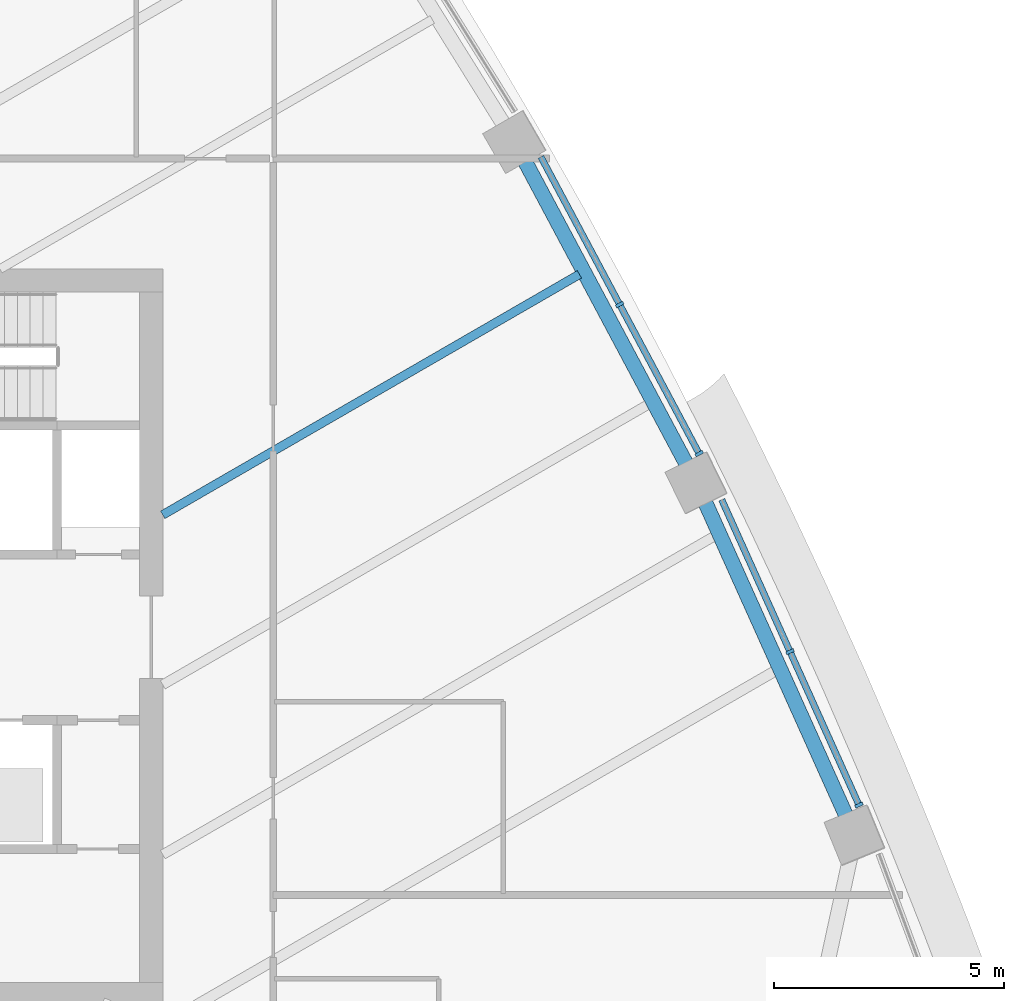
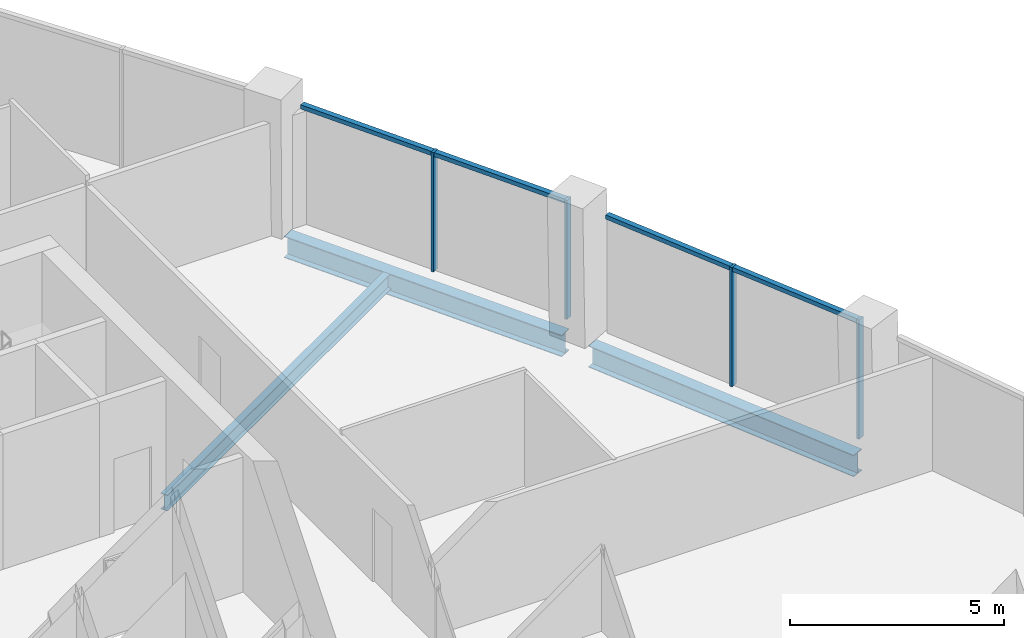
# One storey, part 5 of 16: 8 members, 3 beams, 2 elements without a shape of their own.
"""IFC4 building model written with IfcOpenShell, lengths in metres."""

from ifc_helpers import new_model, si_unit, direction, frame, origin, origin_2d, place, context, subcontext, project, spatial, rectangle, i_section, extrude, material, layer, layer_set, material_profile, profile_set, type_object, element, aggregate, save


model = new_model("IFC4")

# Units and contexts
model_context = context("Model", 3, precision=1e-05, world=origin(), true_north=direction((0.0, 1.0)))
body_context = subcontext(model_context, "Body", "Model", "MODEL_VIEW")
ifc_project = project(units=[si_unit("LENGTHUNIT", "METRE"), si_unit("AREAUNIT", "SQUARE_METRE"), si_unit("VOLUMEUNIT", "CUBIC_METRE"), si_unit("PLANEANGLEUNIT", "RADIAN"), si_unit("MASSUNIT", "GRAM", prefix="KILO")], contexts=[model_context])

# Site, building, storey
site_placement = place(None, origin())
site = spatial("IfcSite", under=ifc_project, at=site_placement, CompositionType="ELEMENT")
building_placement = place(site_placement, origin())
building = spatial("IfcBuilding", under=site, at=building_placement, Name="Sierra Prisma Convention Tower", CompositionType="ELEMENT")
storey_placement = place(building_placement, frame((0.0, 0.0, 165.800048828125)))
storey = spatial("IfcBuildingStorey", under=building, at=storey_placement, Name="L36", CompositionType="ELEMENT", Elevation=165.800048828125)

# Curtain wall, members
ifc_material_1 = material(Name="Aluminium and glass curtain wall", Category="aluminium")
ifc_layer = layer(ifc_material_1, 0.179931640625)
ifc_layer_set = layer_set([ifc_layer], Name="CW-1 Plain shaft curtain wall")
curtain_wall_type = type_object("IfcCurtainWallType", Name="CW-1 Plain shaft curtain wall", PredefinedType="NOTDEFINED", material=ifc_layer_set)
curtain_wall_1_placement = place(storey_placement, origin())
curtain_wall_1 = element("IfcCurtainWall", 1, at=curtain_wall_1_placement, inside=storey, type_object=curtain_wall_type, Name="CW-1 NE2 L36", PredefinedType="NOTDEFINED")
ifc_material_2 = material(Name="Aluminium 6063-T6 bronze anodised", Category="aluminium")
ifc_material_profile_1 = material_profile(ifc_material_2, rectangle(XDim=0.179931640625, YDim=0.070068359375, at=origin_2d()), Name="ALU MULLION 70x180")
ifc_profile_set_1 = profile_set([ifc_material_profile_1], Name="Aluminium 6063-T6 bronze anodised")
member_type_1 = type_object("IfcMemberType", Name="CW mullion bronze", PredefinedType="MULLION", material=ifc_profile_set_1)
member_1_placement = place(storey_placement, frame((26.125732421875, -3.64404296875, 0.0), z_axis=(0.0, 0.0, 1.0), x_axis=(-0.912060440737, -0.410055791866, 0.0)))
member_1 = element("IfcMember", 2, at=member_1_placement, type_object=member_type_1, Name="CW-1 mullion NE2.1", PredefinedType="MULLION", context=body_context, shape_type="SweptSolid", body=[
    extrude(rectangle(XDim=0.179931640625, YDim=0.070068359375, at=origin_2d()), origin(), (0.0, 0.0, 1.0), 3.39990234375),
])
member_2_placement = place(storey_placement, frame((24.627685546875, -0.311767578125, 0.0), z_axis=(0.0, 0.0, 1.0), x_axis=(-0.912060440737, -0.410055791866, 0.0)))
member_2 = element("IfcMember", 3, at=member_2_placement, type_object=member_type_1, Name="CW-1 mullion NE2.2", PredefinedType="MULLION", context=body_context, shape_type="SweptSolid", body=[
    extrude(rectangle(XDim=0.179931640625, YDim=0.070068359375, at=origin_2d()), origin(), (0.0, 0.0, 1.0), 3.39990234375),
])

curtain_wall_2_placement = place(storey_placement, origin())
curtain_wall_2 = element("IfcCurtainWall", 4, at=curtain_wall_2_placement, inside=storey, type_object=curtain_wall_type, Name="CW-1 NE3 L36", PredefinedType="NOTDEFINED")
member_3_placement = place(storey_placement, frame((22.652587890625, 3.991455078125, 0.0), z_axis=(0.0, 0.0, 1.0), x_axis=(-0.882377911693, -0.470541412583, 0.0)))
member_3 = element("IfcMember", 5, at=member_3_placement, type_object=member_type_1, Name="CW-1 mullion NE3.1", PredefinedType="MULLION", context=body_context, shape_type="SweptSolid", body=[
    extrude(rectangle(XDim=0.179931640625, YDim=0.070068359375, at=origin_2d()), origin(), (0.0, 0.0, 1.0), 3.39990234375),
])
member_4_placement = place(storey_placement, frame((20.92578125, 7.229248046875, 0.0), z_axis=(0.0, 0.0, 1.0), x_axis=(-0.882377911693, -0.470541412583, 0.0)))
member_4 = element("IfcMember", 6, at=member_4_placement, type_object=member_type_1, Name="CW-1 mullion NE3.2", PredefinedType="MULLION", context=body_context, shape_type="SweptSolid", body=[
    extrude(rectangle(XDim=0.179931640625, YDim=0.070068359375, at=origin_2d()), origin(), (0.0, 0.0, 1.0), 3.39990234375),
])

# Member
ifc_material_3 = material(Name="Aluminium 6063-T6 bronze anodised", Category="aluminium")
ifc_material_profile_2 = material_profile(ifc_material_3, rectangle(XDim=0.139892578125, YDim=0.1201171875, at=origin_2d()), Name="ALU TRANSOM 120x140")
ifc_profile_set_2 = profile_set([ifc_material_profile_2], Name="Aluminium 6063-T6 bronze anodised")
member_type_2 = type_object("IfcMemberType", Name="CW transom bronze", PredefinedType="USERDEFINED", material=ifc_profile_set_2)
member_5_placement = place(storey_placement, frame((26.111328125, -3.612060546875, 3.33984375), z_axis=(-0.41007287409, 0.9120527605, 0.0), x_axis=(-0.9120527605, -0.41007287409, 0.0)))
member_5 = element("IfcMember", 7, at=member_5_placement, type_object=member_type_2, Name="CW-1 transom NE2.1", ObjectType="TRANSOM", PredefinedType="USERDEFINED", context=body_context, shape_type="SweptSolid", body=[
    extrude(rectangle(XDim=0.139892578125, YDim=0.1201171875, at=origin_2d()), origin(), (0.0, 0.0, 1.0), 3.58349609375),
])

member_6_placement = place(storey_placement, frame((24.61328125, -0.27978515625, 3.33984375), z_axis=(-0.41007287409, 0.9120527605, 0.0), x_axis=(-0.9120527605, -0.41007287409, 0.0)))
member_6 = element("IfcMember", 8, at=member_6_placement, type_object=member_type_2, Name="CW-1 transom NE2.2", ObjectType="TRANSOM", PredefinedType="USERDEFINED", context=body_context, shape_type="SweptSolid", body=[
    extrude(rectangle(XDim=0.139892578125, YDim=0.1201171875, at=origin_2d()), origin(), (0.0, 0.0, 1.0), 3.58349609375),
])

aggregate(curtain_wall_1, [member_1, member_2, member_5, member_6])

member_7_placement = place(storey_placement, frame((22.635986328125, 4.022216796875, 3.33984375), z_axis=(-0.470500225072, 0.882399874324, 0.0), x_axis=(-0.882399874324, -0.470500225072, 0.0)))
member_7 = element("IfcMember", 9, at=member_7_placement, type_object=member_type_2, Name="CW-1 transom NE3.1", ObjectType="TRANSOM", PredefinedType="USERDEFINED", context=body_context, shape_type="SweptSolid", body=[
    extrude(rectangle(XDim=0.139892578125, YDim=0.1201171875, at=origin_2d()), origin(), (0.0, 0.0, 1.0), 3.599609375),
])

member_8_placement = place(storey_placement, frame((20.909423828125, 7.26025390625, 3.33984375), z_axis=(-0.470581194452, 0.882356696256, 0.0), x_axis=(-0.882356696256, -0.470581194452, 0.0)))
member_8 = element("IfcMember", 10, at=member_8_placement, type_object=member_type_2, Name="CW-1 transom NE3.2", ObjectType="TRANSOM", PredefinedType="USERDEFINED", context=body_context, shape_type="SweptSolid", body=[
    extrude(rectangle(XDim=0.139892578125, YDim=0.1201171875, at=origin_2d()), origin(), (0.0, 0.0, 1.0), 3.599365234375),
])

aggregate(curtain_wall_2, [member_3, member_4, member_7, member_8])

# Beams
ifc_material_4 = material(Name="Steel ASTM A992 Gr 50", Category="steel")
ifc_material_profile_3 = material_profile(ifc_material_4, i_section(OverallWidth=0.18994140625, OverallDepth=0.45703125, WebThickness=0.009033203125, FlangeThickness=0.014404296875, at=origin_2d()), Name="W460x74")
ifc_profile_set_3 = profile_set([ifc_material_profile_3], Name="Steel ASTM A992 Gr 50")
beam_type_1 = type_object("IfcBeamType", Name="Floor joist W460x74", PredefinedType="JOIST", material=ifc_profile_set_3)
beam_1_placement = place(storey_placement, frame((20.051513671875, 7.88623046875, -0.378662109375), z_axis=(-0.866017931367, -0.500012942383, 0.0), x_axis=(0.500012942383, -0.866017931367, 0.0)))
element("IfcBeam", 11, at=beam_1_placement, inside=storey, type_object=beam_type_1, Name="Floor joist L36 NE07", PredefinedType="JOIST", context=body_context, shape_type="SweptSolid", body=[
    extrude(i_section(OverallWidth=0.18994140625, OverallDepth=0.45703125, WebThickness=0.009033203125, FlangeThickness=0.014404296875, at=origin_2d()), origin(), (0.0, 0.0, 1.0), 10.451904296875),
])
ifc_material_5 = material(Name="Steel ASTM A992 Gr 50", Category="steel")
ifc_material_profile_4 = material_profile(ifc_material_5, i_section(OverallWidth=0.324951171875, OverallDepth=0.615966796875, WebThickness=0.013916015625, FlangeThickness=0.021484375, at=origin_2d()), Name="W610x174")
ifc_profile_set_4 = profile_set([ifc_material_profile_4], Name="Steel ASTM A992 Gr 50")
beam_type_2 = type_object("IfcBeamType", Name="Spandrel beam W610x174", PredefinedType="BEAM", material=ifc_profile_set_4)
beam_2_placement = place(storey_placement, frame((25.883544921875, -3.958251953125, -0.4580078125), z_axis=(-0.41004697136, 0.912064406321, 0.0), x_axis=(-0.912064406321, -0.41004697136, 0.0)))
element("IfcBeam", 12, at=beam_2_placement, inside=storey, type_object=beam_type_2, Name="Spandrel L36-08", PredefinedType="BEAM", context=body_context, shape_type="SweptSolid", body=[
    extrude(i_section(OverallWidth=0.324951171875, OverallDepth=0.615966796875, WebThickness=0.013916015625, FlangeThickness=0.021484375, at=origin_2d()), origin(), (0.0, 0.0, 1.0), 7.63720703125),
])
beam_3_placement = place(storey_placement, frame((22.4169921875, 3.689697265625, -0.4580078125), z_axis=(-0.470548414823, 0.882374177607, 0.0), x_axis=(-0.882374177607, -0.470548414823, 0.0)))
element("IfcBeam", 13, at=beam_3_placement, inside=storey, type_object=beam_type_2, Name="Spandrel L36-09", PredefinedType="BEAM", context=body_context, shape_type="SweptSolid", body=[
    extrude(i_section(OverallWidth=0.324951171875, OverallDepth=0.615966796875, WebThickness=0.013916015625, FlangeThickness=0.021484375, at=origin_2d()), origin(), (0.0, 0.0, 1.0), 7.637451171875),
])

save(model, "model.ifc")
